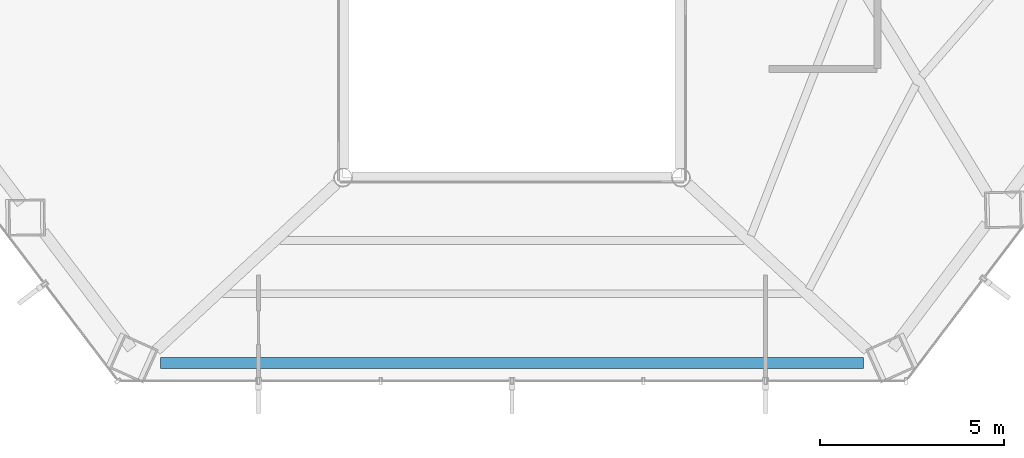
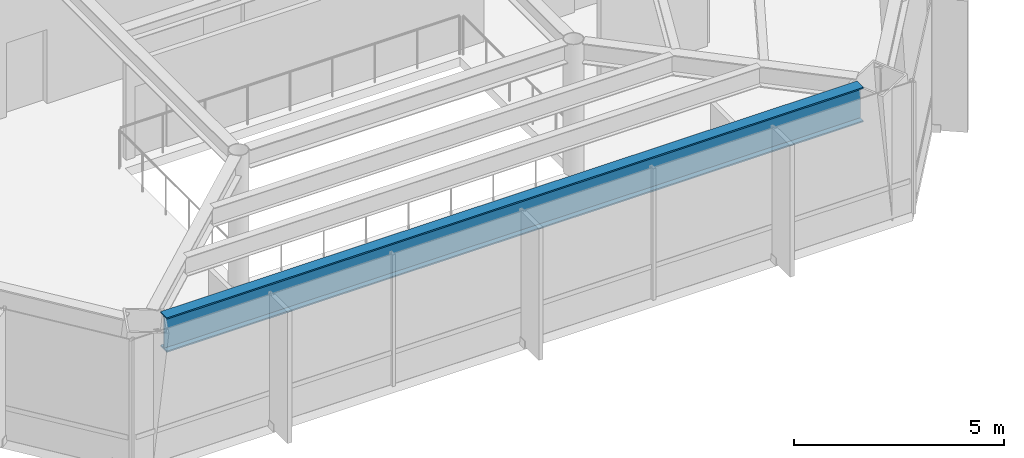
# One storey, part 6 of 26: 1 beam.
"""IFC4 building model written with IfcOpenShell, lengths in metres."""

import ifcopenshell
import ifcopenshell.guid

model = None  # the IFC model being written
_history = None  # IfcOwnerHistory: only IFC2X3 demands one
_inside = {}  # id of a spatial element -> (the spatial element, [elements in it])
_under = {}  # id of a project, library or spatial element -> (it, [spatial elements below it])
_declared = {}  # id of a project -> (the project, [libraries it declares])
_typed = {}  # id of a type object -> (the type object, [elements of that type])
_made_of = {}  # id of a material, layer set ... -> (it, [elements and type objects made of it])


def new_model(schema):
    """Start an empty IFC model of exactly this schema.

    Asked for "IFC4X3", IfcOpenShell would pick the latest addendum, in which some entities
    have other attributes; the version numbers below select the first issue.
    IFC2X3 requires an IfcOwnerHistory on every rooted entity: one is made here for all.
    """
    global model, _history
    if schema == "IFC4X3":
        model = ifcopenshell.file(schema_version=(4, 3, 0, 0))
    else:
        model = ifcopenshell.file(schema=schema)
    _inside.clear()
    _under.clear()
    _declared.clear()
    _typed.clear()
    _made_of.clear()
    _history = None
    if model.schema == "IFC2X3":
        org = make("IfcOrganization", Name="unknown")
        user = make(
            "IfcPersonAndOrganization",
            ThePerson=make("IfcPerson", FamilyName="unknown"),
            TheOrganization=org,
        )
        app = make(
            "IfcApplication",
            ApplicationDeveloper=org,
            Version="unknown",
            ApplicationFullName="unknown",
            ApplicationIdentifier="unknown",
        )
        _history = make(
            "IfcOwnerHistory",
            OwningUser=user,
            OwningApplication=app,
            ChangeAction="ADDED",
            CreationDate=0,
        )
    return model


def make(cls, **values):
    """One entity of the class cls with the attributes given. An attribute that is None is left unset."""
    return model.create_entity(
        cls, **{name: value for name, value in values.items() if value is not None}
    )


def rooted(cls, **values):
    """An entity with a GlobalId (a new one), such as an element, a storey or a relation."""
    return make(cls, GlobalId=ifcopenshell.guid.new(), OwnerHistory=_history, **values)


def si_unit(unit_type, name, prefix=None):
    """IfcSIUnit, for example si_unit("LENGTHUNIT", "METRE", prefix="MILLI")."""
    return make("IfcSIUnit", UnitType=unit_type, Prefix=prefix, Name=name)


def assignment(units):
    """IfcUnitAssignment: the units of a project."""
    return None if units is None else make("IfcUnitAssignment", Units=units)


def point(xyz):
    """IfcCartesianPoint."""
    return None if xyz is None else make("IfcCartesianPoint", Coordinates=xyz)


def direction(xyz):
    """IfcDirection."""
    return None if xyz is None else make("IfcDirection", DirectionRatios=xyz)


def frame(location, z_axis=None, x_axis=None):
    """IfcAxis2Placement3D, a coordinate frame: its origin and axes. An axis left out is left unset."""
    return make(
        "IfcAxis2Placement3D",
        Location=point(location),
        Axis=direction(z_axis),
        RefDirection=direction(x_axis),
    )


def frame_2d(location, x_axis=None):
    """IfcAxis2Placement2D, a coordinate frame in the plane: its origin and x axis."""
    return make(
        "IfcAxis2Placement2D", Location=point(location), RefDirection=direction(x_axis)
    )


def origin():
    """The frame at (0, 0, 0) with its axes left unset."""
    return frame((0.0, 0.0, 0.0))


def origin_2d():
    """The frame at (0, 0) in the plane with its x axis left unset."""
    return frame_2d((0.0, 0.0))


def place(relative_to, where):
    """IfcLocalPlacement: puts the frame where relative to a parent placement (None: the world)."""
    return make(
        "IfcLocalPlacement", PlacementRelTo=relative_to, RelativePlacement=where
    )


def context(
    kind, dimensions, precision=None, world=None, true_north=None, identifier=None
):
    """IfcGeometricRepresentationContext, for example the 3D "Model" context."""
    return make(
        "IfcGeometricRepresentationContext",
        ContextIdentifier=identifier,
        ContextType=kind,
        CoordinateSpaceDimension=dimensions,
        Precision=precision,
        WorldCoordinateSystem=world,
        TrueNorth=true_north,
    )


def subcontext(parent, identifier, kind, view, scale=None):
    """IfcGeometricRepresentationSubContext, for example "Body" below "Model"."""
    return make(
        "IfcGeometricRepresentationSubContext",
        ContextIdentifier=identifier,
        ContextType=kind,
        ParentContext=parent,
        TargetScale=scale,
        TargetView=view,
    )


def project(units=None, contexts=None):
    """IfcProject with its units and contexts."""
    return rooted(
        "IfcProject",
        Name="project",
        RepresentationContexts=contexts,
        UnitsInContext=assignment(units),
    )


def spatial(cls, under=None, at=None, **own):
    """A site, building, storey or space (cls), placed at a placement, below another one or the project."""
    s = rooted(cls, ObjectPlacement=at, **own)
    if under is not None:
        _under.setdefault(under.id(), (under, []))[1].append(s)
    return s


def profile(cls, at=None, kind="AREA", **sizes):
    """A parametric profile (cls). Its sizes go by their IFC names, for example OverallWidth=200.0."""
    return make(cls, ProfileType=kind, Position=at, **sizes)


def i_section(**sizes):
    """IfcIShapeProfileDef."""
    return profile("IfcIShapeProfileDef", **sizes)


def extrude(swept, where, along, depth):
    """IfcExtrudedAreaSolid: the profile swept, set in the frame where, extruded along a direction by depth."""
    return make(
        "IfcExtrudedAreaSolid",
        SweptArea=swept,
        Position=where,
        ExtrudedDirection=direction(along),
        Depth=depth,
    )


def shape(context_of_items, identifier, shape_type, items):
    """IfcShapeRepresentation: the items that make up one representation, for example the "Body"."""
    return make(
        "IfcShapeRepresentation",
        ContextOfItems=context_of_items,
        RepresentationIdentifier=identifier,
        RepresentationType=shape_type,
        Items=items,
    )


def material(Name=None, Category=None):
    """IfcMaterial."""
    return make("IfcMaterial", Name=Name, Category=Category)


def material_profile(
    of_material, cross_section, Name=None, Category=None, Priority=None
):
    """IfcMaterialProfile: a cross section and its material."""
    return make(
        "IfcMaterialProfile",
        Name=Name,
        Material=of_material,
        Profile=cross_section,
        Priority=Priority,
        Category=Category,
    )


def profile_set(profiles, Name=None, composite=None):
    """IfcMaterialProfileSet."""
    return make(
        "IfcMaterialProfileSet",
        Name=Name,
        MaterialProfiles=profiles,
        CompositeProfile=composite,
    )


def made_of(thing, what):
    """Note that an element or type object is made of a material, layer set ...; save() writes the relation."""
    if what is not None:
        _made_of.setdefault(what.id(), (what, []))[1].append(thing)
    return thing


def type_object(cls, material=None, **own):
    """A type object (cls), such as IfcWallType, which elements share."""
    return made_of(rooted(cls, **own), material)


def element(
    cls,
    number,
    at=None,
    inside=None,
    cuts=None,
    type_object=None,
    material=None,
    context=None,
    identifier="Body",
    shape_type=None,
    held_by="IfcProductDefinitionShape",
    body=None,
    shapes=None,
    **own,
):
    """One element of the class cls, such as IfcWall. Its Tag is "e" and its number.

    at: its placement. inside: the storey or other place that contains it. cuts: it is an
    opening in that element (IfcRelVoidsElement). A single representation is given by context,
    identifier, shape_type and body (its items); several are given by shapes. held_by: the class
    of the entity that holds the representations. save() writes the other relations.
    """
    e = rooted(cls, Tag="e%d" % number, ObjectPlacement=at, **own)
    if body is not None:
        shapes = [shape(context, identifier, shape_type, body)]
    if shapes is not None:
        e.Representation = make(held_by, Representations=shapes)
    if inside is not None:
        _inside.setdefault(inside.id(), (inside, []))[1].append(e)
    if cuts is not None:
        rooted(
            "IfcRelVoidsElement", RelatingBuildingElement=cuts, RelatedOpeningElement=e
        )
    if type_object is not None:
        _typed.setdefault(type_object.id(), (type_object, []))[1].append(e)
    return made_of(e, material)


def aggregate(whole, parts):
    """IfcRelAggregates: a whole, such as a stair, and the parts it consists of."""
    return rooted("IfcRelAggregates", RelatingObject=whole, RelatedObjects=parts)


def save(model, path):
    """Write the relations noted so far, then the file.

    IfcRelAggregates (storeys below a building ...), IfcRelContainedInSpatialStructure (elements
    in a storey), IfcRelDefinesByType, IfcRelAssociatesMaterial and IfcRelDeclares: one each for
    every whole, place, type object, material and project.
    """
    for whole, parts in _under.values():
        aggregate(whole, parts)
    for where, things in _inside.values():
        rooted(
            "IfcRelContainedInSpatialStructure",
            RelatedElements=things,
            RelatingStructure=where,
        )
    for kind, things in _typed.values():
        rooted("IfcRelDefinesByType", RelatedObjects=things, RelatingType=kind)
    for what, things in _made_of.values():
        rooted("IfcRelAssociatesMaterial", RelatedObjects=things, RelatingMaterial=what)
    for by, libraries in _declared.values():
        rooted("IfcRelDeclares", RelatingContext=by, RelatedDefinitions=libraries)
    model.write(path)


model = new_model("IFC4")

# Units and contexts
model_context = context("Model", 3, precision=1e-05, world=origin(), true_north=direction((0.0, 1.0)))
body_context = subcontext(model_context, "Body", "Model", "MODEL_VIEW")
ifc_project = project(units=[si_unit("LENGTHUNIT", "METRE"), si_unit("AREAUNIT", "SQUARE_METRE"), si_unit("VOLUMEUNIT", "CUBIC_METRE"), si_unit("PLANEANGLEUNIT", "RADIAN"), si_unit("MASSUNIT", "GRAM", prefix="KILO")], contexts=[model_context])

# Site, building, storey
site_placement = place(None, origin())
site = spatial("IfcSite", under=ifc_project, at=site_placement, CompositionType="ELEMENT")
building_placement = place(site_placement, origin())
building = spatial("IfcBuilding", under=site, at=building_placement, Name="Zarrinselat Tower", CompositionType="ELEMENT")
storey_placement = place(building_placement, frame((0.0, 0.0, 60.179931640625)))
storey = spatial("IfcBuildingStorey", under=building, at=storey_placement, Name="L14", CompositionType="ELEMENT", Elevation=60.179931640625)

# Beam
ifc_material = material(Name="Steel S460M", Category="steel")
ifc_material_profile = material_profile(ifc_material, i_section(OverallWidth=0.302001953125, OverallDepth=1.008056640625, WebThickness=0.02099609375, FlangeThickness=0.0400390625, at=origin_2d()), Name="HEM 1000")
ifc_profile_set = profile_set([ifc_material_profile], Name="Steel S460M")
beam_type = type_object("IfcBeamType", Name="BM-HEM1000", PredefinedType="BEAM", material=ifc_profile_set)
beam_placement = place(storey_placement, frame((28.835693359375, 19.3564453125, 3.316162109375), z_axis=(1.0, 0.0, 0.0), x_axis=(0.0, 1.0, 0.0)))
element("IfcBeam", 1, at=beam_placement, inside=storey, type_object=beam_type, Name="L14 Perimeter Spandrel Girder SP10", PredefinedType="BEAM", context=body_context, shape_type="SweptSolid", body=[
    extrude(i_section(OverallWidth=0.302001953125, OverallDepth=1.008056640625, WebThickness=0.02099609375, FlangeThickness=0.0400390625, at=origin_2d()), origin(), (0.0, 0.0, 1.0), 19.128662109375),
])

save(model, "model.ifc")
